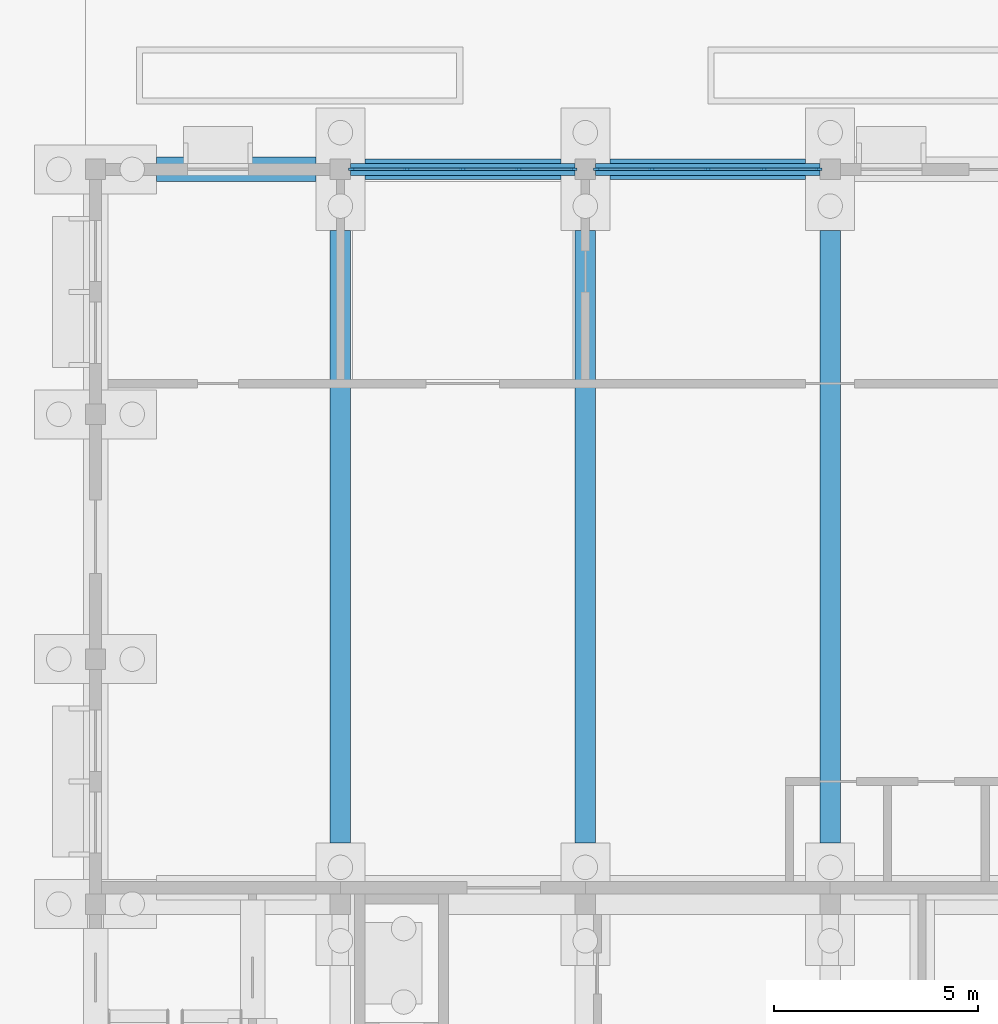
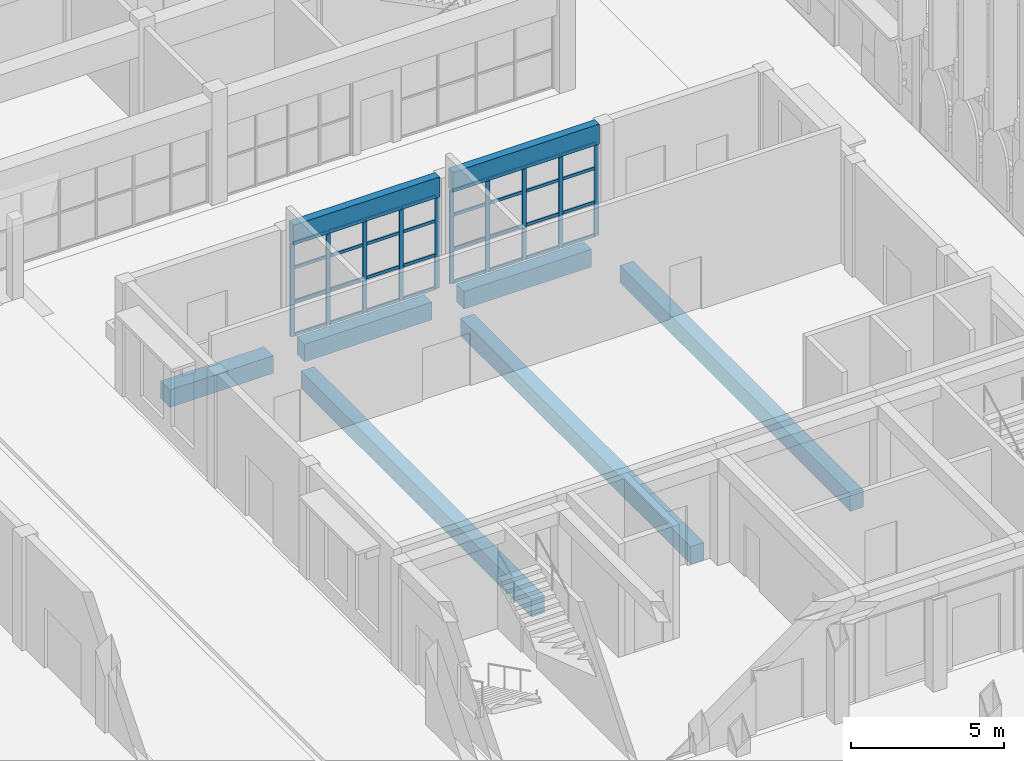
# One storey, part 16 of 161: 42 members, 8 beams, 2 elements without a shape of their own.
"""IFC4 building model written with IfcOpenShell, lengths in metres."""

from ifc_helpers import new_model, si_unit, direction, frame, origin, origin_2d, place, context, subcontext, project, spatial, rectangle, extrude, material, material_profile, profile_set, type_object, element, aggregate, save


model = new_model("IFC4")

# Units and contexts
model_context = context("Model", 3, precision=1e-05, world=origin(), true_north=direction((0.0, 1.0)))
body_context = subcontext(model_context, "Body", "Model", "MODEL_VIEW")
ifc_project = project(units=[si_unit("LENGTHUNIT", "METRE"), si_unit("AREAUNIT", "SQUARE_METRE"), si_unit("VOLUMEUNIT", "CUBIC_METRE"), si_unit("PLANEANGLEUNIT", "RADIAN"), si_unit("MASSUNIT", "GRAM", prefix="KILO")], contexts=[model_context])

# Site, building, storey
site_placement = place(None, origin())
site = spatial("IfcSite", under=ifc_project, at=site_placement, CompositionType="ELEMENT")
building_placement = place(site_placement, origin())
building = spatial("IfcBuilding", under=site, at=building_placement, Name="Elbe Cascade School", CompositionType="ELEMENT")
storey_placement = place(building_placement, origin())
storey = spatial("IfcBuildingStorey", under=building, at=storey_placement, Name="L00", CompositionType="ELEMENT", Elevation=0.0)

# Beams
ifc_material_1 = material(Name="Concrete C30/37", Category="concrete")
ifc_material_profile_1 = material_profile(ifc_material_1, rectangle(XDim=0.300048828125, YDim=0.800048828125, at=origin_2d()), Name="RC 300x800")
ifc_profile_set_1 = profile_set([ifc_material_profile_1], Name="Concrete C30/37")
beam_type_1 = type_object("IfcBeamType", Name="Assembly hall beam RC 300x800", PredefinedType="BEAM", material=ifc_profile_set_1)
for number, where, z_axis, x_axis, name in (
    (1, (45.25, 33.0, 4.10009765625), (1.0, 0.0, 0.0), (0.0, 1.0, 0.0), "Assembly hall beam RC 300x800 B23"),
    (2, (51.25, 33.0, 4.10009765625), (1.0, 0.0, 0.0), (0.0, 1.0, 0.0), "Assembly hall beam RC 300x800 B23"),
):
    element("IfcBeam", number, at=place(storey_placement, frame(where, z_axis=z_axis, x_axis=x_axis)), inside=storey, type_object=beam_type_1, Name=name, PredefinedType="BEAM", context=body_context, shape_type="SweptSolid", body=[
        extrude(rectangle(XDim=0.300048828125, YDim=0.800048828125, at=origin_2d()), origin(), (0.0, 0.0, 1.0), 5.5),
    ])

# Curtain wall, members
ifc_material_2 = material(Name="Dining curtain wall")
curtain_wall_type = type_object("IfcCurtainWallType", Name="Dining curtain wall", PredefinedType="NOTDEFINED", material=ifc_material_2)
curtain_wall_1_placement = place(storey_placement, origin())
curtain_wall_1 = element("IfcCurtainWall", 3, at=curtain_wall_1_placement, inside=storey, type_object=curtain_wall_type, Name="Curtain wall CW2 DI.L00.cw.hn1", PredefinedType="NOTDEFINED")
ifc_material_3 = material(Name="Aluminium - bronze anodised", Category="aluminium")
ifc_material_profile_2 = material_profile(ifc_material_3, rectangle(XDim=0.06005859375, YDim=0.159912109375, at=origin_2d()), Name="RECT 60x160")
ifc_profile_set_2 = profile_set([ifc_material_profile_2], Name="Aluminium - bronze anodised")
member_type_1 = type_object("IfcMemberType", Name="Dining curtain wall mullion 60 x 160", PredefinedType="MULLION", material=ifc_profile_set_2)
member_1_placement = place(storey_placement, frame((45.280029296875, 33.0, 0.0), z_axis=(0.0, 0.0, 1.0), x_axis=(0.0, 1.0, 0.0)))
member_1 = element("IfcMember", 4, at=member_1_placement, type_object=member_type_1, Name="CW2 mullion 1", PredefinedType="MULLION", context=body_context, shape_type="SweptSolid", body=[
    extrude(rectangle(XDim=0.06005859375, YDim=0.159912109375, at=origin_2d()), origin(), (0.0, 0.0, 1.0), 3.699951171875),
])
member_2_placement = place(storey_placement, frame((46.625, 33.0, 0.0), z_axis=(0.0, 0.0, 1.0), x_axis=(0.0, 1.0, 0.0)))
member_2 = element("IfcMember", 5, at=member_2_placement, type_object=member_type_1, Name="CW2 mullion 2", PredefinedType="MULLION", context=body_context, shape_type="SweptSolid", body=[
    extrude(rectangle(XDim=0.06005859375, YDim=0.159912109375, at=origin_2d()), origin(), (0.0, 0.0, 1.0), 3.699951171875),
])
member_3_placement = place(storey_placement, frame((48.0, 33.0, 0.0), z_axis=(0.0, 0.0, 1.0), x_axis=(0.0, 1.0, 0.0)))
member_3 = element("IfcMember", 6, at=member_3_placement, type_object=member_type_1, Name="CW2 mullion 3", PredefinedType="MULLION", context=body_context, shape_type="SweptSolid", body=[
    extrude(rectangle(XDim=0.06005859375, YDim=0.159912109375, at=origin_2d()), origin(), (0.0, 0.0, 1.0), 3.699951171875),
])
member_4_placement = place(storey_placement, frame((49.375, 33.0, 0.0), z_axis=(0.0, 0.0, 1.0), x_axis=(0.0, 1.0, 0.0)))
member_4 = element("IfcMember", 7, at=member_4_placement, type_object=member_type_1, Name="CW2 mullion 4", PredefinedType="MULLION", context=body_context, shape_type="SweptSolid", body=[
    extrude(rectangle(XDim=0.06005859375, YDim=0.159912109375, at=origin_2d()), origin(), (0.0, 0.0, 1.0), 3.699951171875),
])
member_5_placement = place(storey_placement, frame((50.719970703125, 33.0, 0.0), z_axis=(0.0, 0.0, 1.0), x_axis=(0.0, 1.0, 0.0)))
member_5 = element("IfcMember", 8, at=member_5_placement, type_object=member_type_1, Name="CW2 mullion 5", PredefinedType="MULLION", context=body_context, shape_type="SweptSolid", body=[
    extrude(rectangle(XDim=0.06005859375, YDim=0.159912109375, at=origin_2d()), origin(), (0.0, 0.0, 1.0), 3.699951171875),
])

curtain_wall_2_placement = place(storey_placement, origin())
curtain_wall_2 = element("IfcCurtainWall", 9, at=curtain_wall_2_placement, inside=storey, type_object=curtain_wall_type, Name="Curtain wall CW2 DI.L00.cw.hn2", PredefinedType="NOTDEFINED")
member_6_placement = place(storey_placement, frame((51.280029296875, 33.0, 0.0), z_axis=(0.0, 0.0, 1.0), x_axis=(0.0, 1.0, 0.0)))
member_6 = element("IfcMember", 10, at=member_6_placement, type_object=member_type_1, Name="CW2 mullion 1", PredefinedType="MULLION", context=body_context, shape_type="SweptSolid", body=[
    extrude(rectangle(XDim=0.06005859375, YDim=0.159912109375, at=origin_2d()), origin(), (0.0, 0.0, 1.0), 3.699951171875),
])
member_7_placement = place(storey_placement, frame((52.625, 33.0, 0.0), z_axis=(0.0, 0.0, 1.0), x_axis=(0.0, 1.0, 0.0)))
member_7 = element("IfcMember", 11, at=member_7_placement, type_object=member_type_1, Name="CW2 mullion 2", PredefinedType="MULLION", context=body_context, shape_type="SweptSolid", body=[
    extrude(rectangle(XDim=0.06005859375, YDim=0.159912109375, at=origin_2d()), origin(), (0.0, 0.0, 1.0), 3.699951171875),
])
member_8_placement = place(storey_placement, frame((54.0, 33.0, 0.0), z_axis=(0.0, 0.0, 1.0), x_axis=(0.0, 1.0, 0.0)))
member_8 = element("IfcMember", 12, at=member_8_placement, type_object=member_type_1, Name="CW2 mullion 3", PredefinedType="MULLION", context=body_context, shape_type="SweptSolid", body=[
    extrude(rectangle(XDim=0.06005859375, YDim=0.159912109375, at=origin_2d()), origin(), (0.0, 0.0, 1.0), 3.699951171875),
])
member_9_placement = place(storey_placement, frame((55.375, 33.0, 0.0), z_axis=(0.0, 0.0, 1.0), x_axis=(0.0, 1.0, 0.0)))
member_9 = element("IfcMember", 13, at=member_9_placement, type_object=member_type_1, Name="CW2 mullion 4", PredefinedType="MULLION", context=body_context, shape_type="SweptSolid", body=[
    extrude(rectangle(XDim=0.06005859375, YDim=0.159912109375, at=origin_2d()), origin(), (0.0, 0.0, 1.0), 3.699951171875),
])
member_10_placement = place(storey_placement, frame((56.719970703125, 33.0, 0.0), z_axis=(0.0, 0.0, 1.0), x_axis=(0.0, 1.0, 0.0)))
member_10 = element("IfcMember", 14, at=member_10_placement, type_object=member_type_1, Name="CW2 mullion 5", PredefinedType="MULLION", context=body_context, shape_type="SweptSolid", body=[
    extrude(rectangle(XDim=0.06005859375, YDim=0.159912109375, at=origin_2d()), origin(), (0.0, 0.0, 1.0), 3.699951171875),
])

# Member
ifc_material_4 = material(Name="Aluminium - bronze anodised", Category="aluminium")
ifc_material_profile_3 = material_profile(ifc_material_4, rectangle(XDim=0.06005859375, YDim=0.1201171875, at=origin_2d()), Name="RECT 60x120")
ifc_profile_set_3 = profile_set([ifc_material_profile_3], Name="Aluminium - bronze anodised")
member_type_2 = type_object("IfcMemberType", Name="Dining curtain wall transom 60 x 120", PredefinedType="USERDEFINED", material=ifc_profile_set_3)
member_11_placement = place(storey_placement, frame((45.31005859375, 33.0, 0.030029296875), z_axis=(1.0, 0.0, 0.0), x_axis=(0.0, 1.0, 0.0)))
member_11 = element("IfcMember", 15, at=member_11_placement, type_object=member_type_2, Name="CW2 transom 1.1", ObjectType="TRANSOM", PredefinedType="USERDEFINED", context=body_context, shape_type="SweptSolid", body=[
    extrude(rectangle(XDim=0.06005859375, YDim=0.1201171875, at=origin_2d()), origin(), (0.0, 0.0, 1.0), 1.284912109375),
])

member_12_placement = place(storey_placement, frame((45.31005859375, 33.0, 1.35009765625), z_axis=(1.0, 0.0, 0.0), x_axis=(0.0, 1.0, 0.0)))
member_12 = element("IfcMember", 16, at=member_12_placement, type_object=member_type_2, Name="CW2 transom 1.2", ObjectType="TRANSOM", PredefinedType="USERDEFINED", context=body_context, shape_type="SweptSolid", body=[
    extrude(rectangle(XDim=0.06005859375, YDim=0.1201171875, at=origin_2d()), origin(), (0.0, 0.0, 1.0), 1.284912109375),
])

member_13_placement = place(storey_placement, frame((45.31005859375, 33.0, 2.699951171875), z_axis=(1.0, 0.0, 0.0), x_axis=(0.0, 1.0, 0.0)))
member_13 = element("IfcMember", 17, at=member_13_placement, type_object=member_type_2, Name="CW2 transom 1.3", ObjectType="TRANSOM", PredefinedType="USERDEFINED", context=body_context, shape_type="SweptSolid", body=[
    extrude(rectangle(XDim=0.06005859375, YDim=0.1201171875, at=origin_2d()), origin(), (0.0, 0.0, 1.0), 1.284912109375),
])

member_14_placement = place(storey_placement, frame((45.31005859375, 33.0, 3.669921875), z_axis=(1.0, 0.0, 0.0), x_axis=(0.0, 1.0, 0.0)))
member_14 = element("IfcMember", 18, at=member_14_placement, type_object=member_type_2, Name="CW2 transom 1.4", ObjectType="TRANSOM", PredefinedType="USERDEFINED", context=body_context, shape_type="SweptSolid", body=[
    extrude(rectangle(XDim=0.06005859375, YDim=0.1201171875, at=origin_2d()), origin(), (0.0, 0.0, 1.0), 1.284912109375),
])

member_15_placement = place(storey_placement, frame((46.655029296875, 33.0, 0.030029296875), z_axis=(1.0, 0.0, 0.0), x_axis=(0.0, 1.0, 0.0)))
member_15 = element("IfcMember", 19, at=member_15_placement, type_object=member_type_2, Name="CW2 transom 2.1", ObjectType="TRANSOM", PredefinedType="USERDEFINED", context=body_context, shape_type="SweptSolid", body=[
    extrude(rectangle(XDim=0.06005859375, YDim=0.1201171875, at=origin_2d()), origin(), (0.0, 0.0, 1.0), 1.31494140625),
])

member_16_placement = place(storey_placement, frame((46.655029296875, 33.0, 1.35009765625), z_axis=(1.0, 0.0, 0.0), x_axis=(0.0, 1.0, 0.0)))
member_16 = element("IfcMember", 20, at=member_16_placement, type_object=member_type_2, Name="CW2 transom 2.2", ObjectType="TRANSOM", PredefinedType="USERDEFINED", context=body_context, shape_type="SweptSolid", body=[
    extrude(rectangle(XDim=0.06005859375, YDim=0.1201171875, at=origin_2d()), origin(), (0.0, 0.0, 1.0), 1.31494140625),
])

member_17_placement = place(storey_placement, frame((46.655029296875, 33.0, 2.699951171875), z_axis=(1.0, 0.0, 0.0), x_axis=(0.0, 1.0, 0.0)))
member_17 = element("IfcMember", 21, at=member_17_placement, type_object=member_type_2, Name="CW2 transom 2.3", ObjectType="TRANSOM", PredefinedType="USERDEFINED", context=body_context, shape_type="SweptSolid", body=[
    extrude(rectangle(XDim=0.06005859375, YDim=0.1201171875, at=origin_2d()), origin(), (0.0, 0.0, 1.0), 1.31494140625),
])

member_18_placement = place(storey_placement, frame((46.655029296875, 33.0, 3.669921875), z_axis=(1.0, 0.0, 0.0), x_axis=(0.0, 1.0, 0.0)))
member_18 = element("IfcMember", 22, at=member_18_placement, type_object=member_type_2, Name="CW2 transom 2.4", ObjectType="TRANSOM", PredefinedType="USERDEFINED", context=body_context, shape_type="SweptSolid", body=[
    extrude(rectangle(XDim=0.06005859375, YDim=0.1201171875, at=origin_2d()), origin(), (0.0, 0.0, 1.0), 1.31494140625),
])

member_19_placement = place(storey_placement, frame((48.030029296875, 33.0, 0.030029296875), z_axis=(1.0, 0.0, 0.0), x_axis=(0.0, 1.0, 0.0)))
member_19 = element("IfcMember", 23, at=member_19_placement, type_object=member_type_2, Name="CW2 transom 3.1", ObjectType="TRANSOM", PredefinedType="USERDEFINED", context=body_context, shape_type="SweptSolid", body=[
    extrude(rectangle(XDim=0.06005859375, YDim=0.1201171875, at=origin_2d()), origin(), (0.0, 0.0, 1.0), 1.31494140625),
])

member_20_placement = place(storey_placement, frame((48.030029296875, 33.0, 1.35009765625), z_axis=(1.0, 0.0, 0.0), x_axis=(0.0, 1.0, 0.0)))
member_20 = element("IfcMember", 24, at=member_20_placement, type_object=member_type_2, Name="CW2 transom 3.2", ObjectType="TRANSOM", PredefinedType="USERDEFINED", context=body_context, shape_type="SweptSolid", body=[
    extrude(rectangle(XDim=0.06005859375, YDim=0.1201171875, at=origin_2d()), origin(), (0.0, 0.0, 1.0), 1.31494140625),
])

member_21_placement = place(storey_placement, frame((48.030029296875, 33.0, 2.699951171875), z_axis=(1.0, 0.0, 0.0), x_axis=(0.0, 1.0, 0.0)))
member_21 = element("IfcMember", 25, at=member_21_placement, type_object=member_type_2, Name="CW2 transom 3.3", ObjectType="TRANSOM", PredefinedType="USERDEFINED", context=body_context, shape_type="SweptSolid", body=[
    extrude(rectangle(XDim=0.06005859375, YDim=0.1201171875, at=origin_2d()), origin(), (0.0, 0.0, 1.0), 1.31494140625),
])

member_22_placement = place(storey_placement, frame((48.030029296875, 33.0, 3.669921875), z_axis=(1.0, 0.0, 0.0), x_axis=(0.0, 1.0, 0.0)))
member_22 = element("IfcMember", 26, at=member_22_placement, type_object=member_type_2, Name="CW2 transom 3.4", ObjectType="TRANSOM", PredefinedType="USERDEFINED", context=body_context, shape_type="SweptSolid", body=[
    extrude(rectangle(XDim=0.06005859375, YDim=0.1201171875, at=origin_2d()), origin(), (0.0, 0.0, 1.0), 1.31494140625),
])

member_23_placement = place(storey_placement, frame((49.405029296875, 33.0, 0.030029296875), z_axis=(1.0, 0.0, 0.0), x_axis=(0.0, 1.0, 0.0)))
member_23 = element("IfcMember", 27, at=member_23_placement, type_object=member_type_2, Name="CW2 transom 4.1", ObjectType="TRANSOM", PredefinedType="USERDEFINED", context=body_context, shape_type="SweptSolid", body=[
    extrude(rectangle(XDim=0.06005859375, YDim=0.1201171875, at=origin_2d()), origin(), (0.0, 0.0, 1.0), 1.284912109375),
])

member_24_placement = place(storey_placement, frame((49.405029296875, 33.0, 1.35009765625), z_axis=(1.0, 0.0, 0.0), x_axis=(0.0, 1.0, 0.0)))
member_24 = element("IfcMember", 28, at=member_24_placement, type_object=member_type_2, Name="CW2 transom 4.2", ObjectType="TRANSOM", PredefinedType="USERDEFINED", context=body_context, shape_type="SweptSolid", body=[
    extrude(rectangle(XDim=0.06005859375, YDim=0.1201171875, at=origin_2d()), origin(), (0.0, 0.0, 1.0), 1.284912109375),
])

member_25_placement = place(storey_placement, frame((49.405029296875, 33.0, 2.699951171875), z_axis=(1.0, 0.0, 0.0), x_axis=(0.0, 1.0, 0.0)))
member_25 = element("IfcMember", 29, at=member_25_placement, type_object=member_type_2, Name="CW2 transom 4.3", ObjectType="TRANSOM", PredefinedType="USERDEFINED", context=body_context, shape_type="SweptSolid", body=[
    extrude(rectangle(XDim=0.06005859375, YDim=0.1201171875, at=origin_2d()), origin(), (0.0, 0.0, 1.0), 1.284912109375),
])

member_26_placement = place(storey_placement, frame((49.405029296875, 33.0, 3.669921875), z_axis=(1.0, 0.0, 0.0), x_axis=(0.0, 1.0, 0.0)))
member_26 = element("IfcMember", 30, at=member_26_placement, type_object=member_type_2, Name="CW2 transom 4.4", ObjectType="TRANSOM", PredefinedType="USERDEFINED", context=body_context, shape_type="SweptSolid", body=[
    extrude(rectangle(XDim=0.06005859375, YDim=0.1201171875, at=origin_2d()), origin(), (0.0, 0.0, 1.0), 1.284912109375),
])

aggregate(curtain_wall_1, [member_1, member_2, member_3, member_4, member_5, member_11, member_12, member_13, member_14, member_15, member_16, member_17, member_18, member_19, member_20, member_21, member_22, member_23, member_24, member_25, member_26])

member_27_placement = place(storey_placement, frame((51.31005859375, 33.0, 0.030029296875), z_axis=(1.0, 0.0, 0.0), x_axis=(0.0, 1.0, 0.0)))
member_27 = element("IfcMember", 31, at=member_27_placement, type_object=member_type_2, Name="CW2 transom 1.1", ObjectType="TRANSOM", PredefinedType="USERDEFINED", context=body_context, shape_type="SweptSolid", body=[
    extrude(rectangle(XDim=0.06005859375, YDim=0.1201171875, at=origin_2d()), origin(), (0.0, 0.0, 1.0), 1.284912109375),
])

member_28_placement = place(storey_placement, frame((51.31005859375, 33.0, 1.35009765625), z_axis=(1.0, 0.0, 0.0), x_axis=(0.0, 1.0, 0.0)))
member_28 = element("IfcMember", 32, at=member_28_placement, type_object=member_type_2, Name="CW2 transom 1.2", ObjectType="TRANSOM", PredefinedType="USERDEFINED", context=body_context, shape_type="SweptSolid", body=[
    extrude(rectangle(XDim=0.06005859375, YDim=0.1201171875, at=origin_2d()), origin(), (0.0, 0.0, 1.0), 1.284912109375),
])

member_29_placement = place(storey_placement, frame((51.31005859375, 33.0, 2.699951171875), z_axis=(1.0, 0.0, 0.0), x_axis=(0.0, 1.0, 0.0)))
member_29 = element("IfcMember", 33, at=member_29_placement, type_object=member_type_2, Name="CW2 transom 1.3", ObjectType="TRANSOM", PredefinedType="USERDEFINED", context=body_context, shape_type="SweptSolid", body=[
    extrude(rectangle(XDim=0.06005859375, YDim=0.1201171875, at=origin_2d()), origin(), (0.0, 0.0, 1.0), 1.284912109375),
])

member_30_placement = place(storey_placement, frame((51.31005859375, 33.0, 3.669921875), z_axis=(1.0, 0.0, 0.0), x_axis=(0.0, 1.0, 0.0)))
member_30 = element("IfcMember", 34, at=member_30_placement, type_object=member_type_2, Name="CW2 transom 1.4", ObjectType="TRANSOM", PredefinedType="USERDEFINED", context=body_context, shape_type="SweptSolid", body=[
    extrude(rectangle(XDim=0.06005859375, YDim=0.1201171875, at=origin_2d()), origin(), (0.0, 0.0, 1.0), 1.284912109375),
])

member_31_placement = place(storey_placement, frame((52.655029296875, 33.0, 0.030029296875), z_axis=(1.0, 0.0, 0.0), x_axis=(0.0, 1.0, 0.0)))
member_31 = element("IfcMember", 35, at=member_31_placement, type_object=member_type_2, Name="CW2 transom 2.1", ObjectType="TRANSOM", PredefinedType="USERDEFINED", context=body_context, shape_type="SweptSolid", body=[
    extrude(rectangle(XDim=0.06005859375, YDim=0.1201171875, at=origin_2d()), origin(), (0.0, 0.0, 1.0), 1.31494140625),
])

member_32_placement = place(storey_placement, frame((52.655029296875, 33.0, 1.35009765625), z_axis=(1.0, 0.0, 0.0), x_axis=(0.0, 1.0, 0.0)))
member_32 = element("IfcMember", 36, at=member_32_placement, type_object=member_type_2, Name="CW2 transom 2.2", ObjectType="TRANSOM", PredefinedType="USERDEFINED", context=body_context, shape_type="SweptSolid", body=[
    extrude(rectangle(XDim=0.06005859375, YDim=0.1201171875, at=origin_2d()), origin(), (0.0, 0.0, 1.0), 1.31494140625),
])

member_33_placement = place(storey_placement, frame((52.655029296875, 33.0, 2.699951171875), z_axis=(1.0, 0.0, 0.0), x_axis=(0.0, 1.0, 0.0)))
member_33 = element("IfcMember", 37, at=member_33_placement, type_object=member_type_2, Name="CW2 transom 2.3", ObjectType="TRANSOM", PredefinedType="USERDEFINED", context=body_context, shape_type="SweptSolid", body=[
    extrude(rectangle(XDim=0.06005859375, YDim=0.1201171875, at=origin_2d()), origin(), (0.0, 0.0, 1.0), 1.31494140625),
])

member_34_placement = place(storey_placement, frame((52.655029296875, 33.0, 3.669921875), z_axis=(1.0, 0.0, 0.0), x_axis=(0.0, 1.0, 0.0)))
member_34 = element("IfcMember", 38, at=member_34_placement, type_object=member_type_2, Name="CW2 transom 2.4", ObjectType="TRANSOM", PredefinedType="USERDEFINED", context=body_context, shape_type="SweptSolid", body=[
    extrude(rectangle(XDim=0.06005859375, YDim=0.1201171875, at=origin_2d()), origin(), (0.0, 0.0, 1.0), 1.31494140625),
])

member_35_placement = place(storey_placement, frame((54.030029296875, 33.0, 0.030029296875), z_axis=(1.0, 0.0, 0.0), x_axis=(0.0, 1.0, 0.0)))
member_35 = element("IfcMember", 39, at=member_35_placement, type_object=member_type_2, Name="CW2 transom 3.1", ObjectType="TRANSOM", PredefinedType="USERDEFINED", context=body_context, shape_type="SweptSolid", body=[
    extrude(rectangle(XDim=0.06005859375, YDim=0.1201171875, at=origin_2d()), origin(), (0.0, 0.0, 1.0), 1.31494140625),
])

member_36_placement = place(storey_placement, frame((54.030029296875, 33.0, 1.35009765625), z_axis=(1.0, 0.0, 0.0), x_axis=(0.0, 1.0, 0.0)))
member_36 = element("IfcMember", 40, at=member_36_placement, type_object=member_type_2, Name="CW2 transom 3.2", ObjectType="TRANSOM", PredefinedType="USERDEFINED", context=body_context, shape_type="SweptSolid", body=[
    extrude(rectangle(XDim=0.06005859375, YDim=0.1201171875, at=origin_2d()), origin(), (0.0, 0.0, 1.0), 1.31494140625),
])

member_37_placement = place(storey_placement, frame((54.030029296875, 33.0, 2.699951171875), z_axis=(1.0, 0.0, 0.0), x_axis=(0.0, 1.0, 0.0)))
member_37 = element("IfcMember", 41, at=member_37_placement, type_object=member_type_2, Name="CW2 transom 3.3", ObjectType="TRANSOM", PredefinedType="USERDEFINED", context=body_context, shape_type="SweptSolid", body=[
    extrude(rectangle(XDim=0.06005859375, YDim=0.1201171875, at=origin_2d()), origin(), (0.0, 0.0, 1.0), 1.31494140625),
])

member_38_placement = place(storey_placement, frame((54.030029296875, 33.0, 3.669921875), z_axis=(1.0, 0.0, 0.0), x_axis=(0.0, 1.0, 0.0)))
member_38 = element("IfcMember", 42, at=member_38_placement, type_object=member_type_2, Name="CW2 transom 3.4", ObjectType="TRANSOM", PredefinedType="USERDEFINED", context=body_context, shape_type="SweptSolid", body=[
    extrude(rectangle(XDim=0.06005859375, YDim=0.1201171875, at=origin_2d()), origin(), (0.0, 0.0, 1.0), 1.31494140625),
])

member_39_placement = place(storey_placement, frame((55.405029296875, 33.0, 0.030029296875), z_axis=(1.0, 0.0, 0.0), x_axis=(0.0, 1.0, 0.0)))
member_39 = element("IfcMember", 43, at=member_39_placement, type_object=member_type_2, Name="CW2 transom 4.1", ObjectType="TRANSOM", PredefinedType="USERDEFINED", context=body_context, shape_type="SweptSolid", body=[
    extrude(rectangle(XDim=0.06005859375, YDim=0.1201171875, at=origin_2d()), origin(), (0.0, 0.0, 1.0), 1.284912109375),
])

member_40_placement = place(storey_placement, frame((55.405029296875, 33.0, 1.35009765625), z_axis=(1.0, 0.0, 0.0), x_axis=(0.0, 1.0, 0.0)))
member_40 = element("IfcMember", 44, at=member_40_placement, type_object=member_type_2, Name="CW2 transom 4.2", ObjectType="TRANSOM", PredefinedType="USERDEFINED", context=body_context, shape_type="SweptSolid", body=[
    extrude(rectangle(XDim=0.06005859375, YDim=0.1201171875, at=origin_2d()), origin(), (0.0, 0.0, 1.0), 1.284912109375),
])

member_41_placement = place(storey_placement, frame((55.405029296875, 33.0, 2.699951171875), z_axis=(1.0, 0.0, 0.0), x_axis=(0.0, 1.0, 0.0)))
member_41 = element("IfcMember", 45, at=member_41_placement, type_object=member_type_2, Name="CW2 transom 4.3", ObjectType="TRANSOM", PredefinedType="USERDEFINED", context=body_context, shape_type="SweptSolid", body=[
    extrude(rectangle(XDim=0.06005859375, YDim=0.1201171875, at=origin_2d()), origin(), (0.0, 0.0, 1.0), 1.284912109375),
])

member_42_placement = place(storey_placement, frame((55.405029296875, 33.0, 3.669921875), z_axis=(1.0, 0.0, 0.0), x_axis=(0.0, 1.0, 0.0)))
member_42 = element("IfcMember", 46, at=member_42_placement, type_object=member_type_2, Name="CW2 transom 4.4", ObjectType="TRANSOM", PredefinedType="USERDEFINED", context=body_context, shape_type="SweptSolid", body=[
    extrude(rectangle(XDim=0.06005859375, YDim=0.1201171875, at=origin_2d()), origin(), (0.0, 0.0, 1.0), 1.284912109375),
])

aggregate(curtain_wall_2, [member_6, member_7, member_8, member_9, member_10, member_27, member_28, member_29, member_30, member_31, member_32, member_33, member_34, member_35, member_36, member_37, member_38, member_39, member_40, member_41, member_42])

# Beams
ifc_material_5 = material(Name="Concrete C30/37", Category="concrete")
ifc_material_profile_4 = material_profile(ifc_material_5, rectangle(XDim=0.5, YDim=0.699951171875, at=origin_2d()), Name="RC 500x700")
ifc_profile_set_4 = profile_set([ifc_material_profile_4], Name="Concrete C30/37")
beam_type_2 = type_object("IfcBeamType", Name="Found ground beam RC 500x700", PredefinedType="BEAM", material=ifc_profile_set_4)
for number, where, z_axis, x_axis, name in (
    (47, (45.60009765625, 33.0, -0.64990234375), (1.0, 0.0, 0.0), (0.0, 1.0, 0.0), "Ground beam 319"),
    (48, (51.60009765625, 33.0, -0.64990234375), (1.0, 0.0, 0.0), (0.0, 1.0, 0.0), "Ground beam 320"),
):
    element("IfcBeam", number, at=place(storey_placement, frame(where, z_axis=z_axis, x_axis=x_axis)), inside=storey, type_object=beam_type_2, Name=name, PredefinedType="BEAM", context=body_context, shape_type="SweptSolid", body=[
        extrude(rectangle(XDim=0.5, YDim=0.699951171875, at=origin_2d()), origin(), (0.0, 0.0, 1.0), 4.7998046875),
    ])
for number, where, z_axis, x_axis, name in (
    (49, (45.0, 16.5, -0.64990234375), (0.0, 1.0, 0.0), (-1.0, 0.0, 0.0), "Ground beam 322"),
    (50, (51.0, 16.5, -0.64990234375), (0.0, 1.0, 0.0), (-1.0, 0.0, 0.0), "Ground beam 324"),
    (51, (57.0, 16.5, -0.64990234375), (0.0, 1.0, 0.0), (-1.0, 0.0, 0.0), "Ground beam 326"),
):
    element("IfcBeam", number, at=place(storey_placement, frame(where, z_axis=z_axis, x_axis=x_axis)), inside=storey, type_object=beam_type_2, Name=name, PredefinedType="BEAM", context=body_context, shape_type="SweptSolid", body=[
        extrude(rectangle(XDim=0.5, YDim=0.699951171875, at=origin_2d()), origin(), (0.0, 0.0, 1.0), 15.0),
    ])
ifc_material_6 = material(Name="Concrete C30/37", Category="concrete")
ifc_material_profile_5 = material_profile(ifc_material_6, rectangle(XDim=0.60009765625, YDim=0.699951171875, at=origin_2d()), Name="RC 600x700")
ifc_profile_set_5 = profile_set([ifc_material_profile_5], Name="Concrete C30/37")
beam_type_3 = type_object("IfcBeamType", Name="Found ground beam RC 600x700", PredefinedType="BEAM", material=ifc_profile_set_5)
beam_placement = place(storey_placement, frame((40.5, 33.0, -0.64990234375), z_axis=(1.0, 0.0, 0.0), x_axis=(0.0, 1.0, 0.0)))
element("IfcBeam", 52, at=beam_placement, inside=storey, type_object=beam_type_3, Name="Ground beam 165", PredefinedType="BEAM", context=body_context, shape_type="SweptSolid", body=[
    extrude(rectangle(XDim=0.60009765625, YDim=0.699951171875, at=origin_2d()), origin(), (0.0, 0.0, 1.0), 3.89990234375),
])

save(model, "model.ifc")
